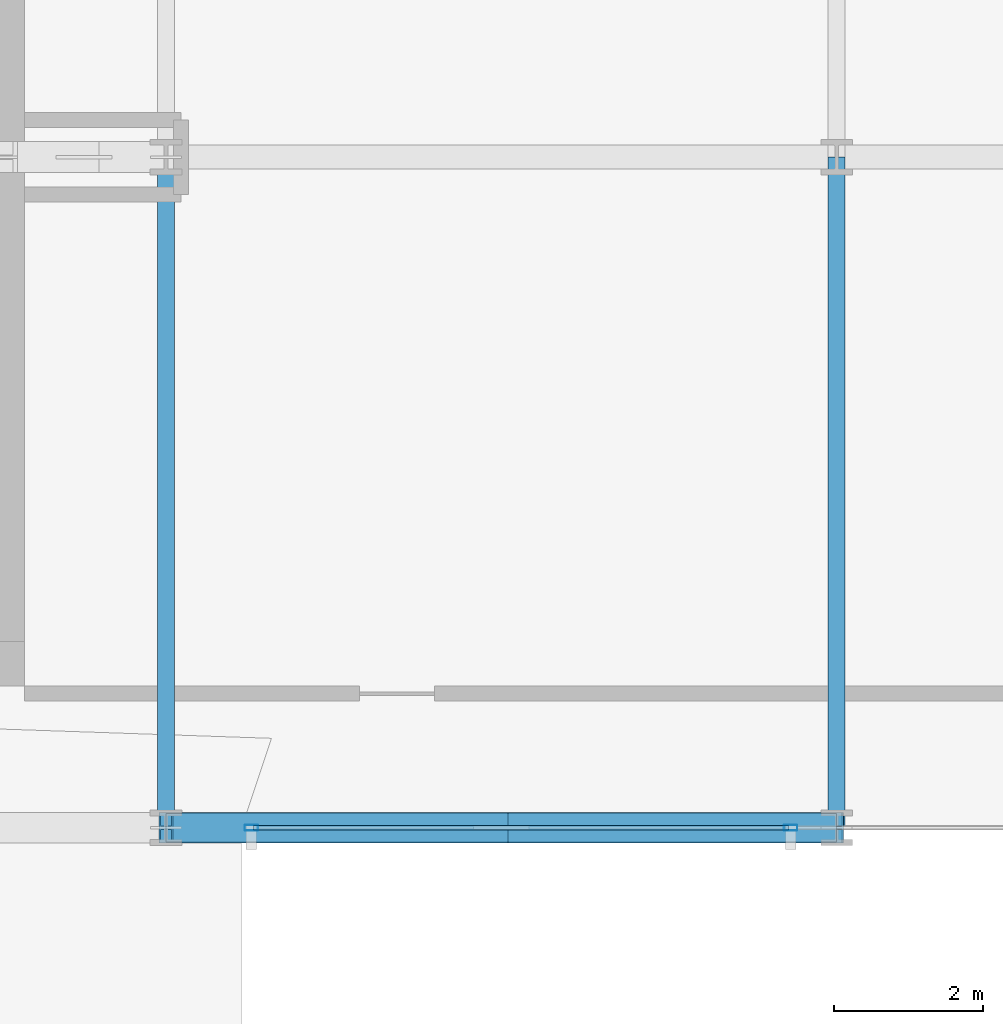
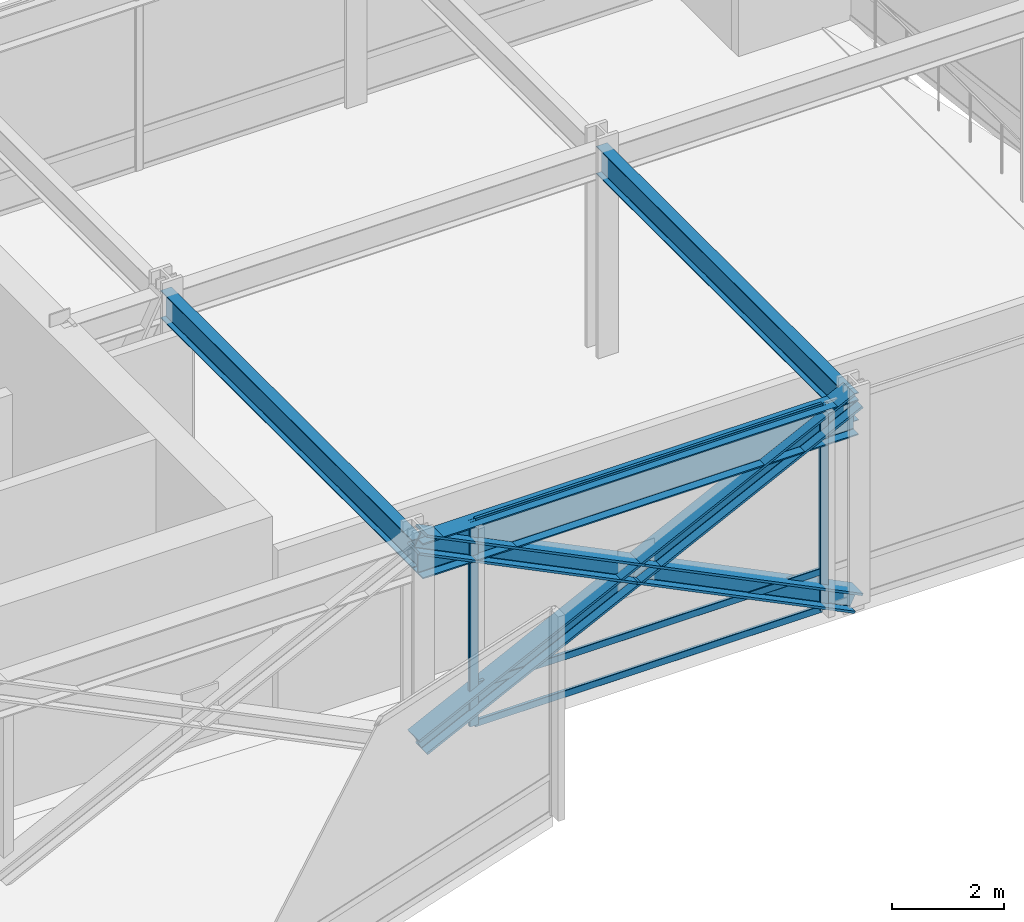
# One storey, part 13 of 42: 8 members, 3 beams, 1 element without a shape of its own.
"""IFC4 building model written with IfcOpenShell, lengths in metres."""

from ifc_helpers import new_model, si_unit, direction, frame, origin, origin_2d, place, context, subcontext, project, spatial, hollow_rectangle, i_section, extrude, material, layer, layer_set, material_profile, profile_set, type_object, element, aggregate, save


model = new_model("IFC4")

# Units and contexts
model_context = context("Model", 3, precision=1e-05, world=origin(), true_north=direction((0.0, 1.0)))
body_context = subcontext(model_context, "Body", "Model", "MODEL_VIEW")
ifc_project = project(units=[si_unit("LENGTHUNIT", "METRE"), si_unit("AREAUNIT", "SQUARE_METRE"), si_unit("VOLUMEUNIT", "CUBIC_METRE"), si_unit("PLANEANGLEUNIT", "RADIAN"), si_unit("MASSUNIT", "GRAM", prefix="KILO")], contexts=[model_context])

# Site, building, storey
site_placement = place(None, origin())
site = spatial("IfcSite", under=ifc_project, at=site_placement, CompositionType="ELEMENT")
building_placement = place(site_placement, origin())
building = spatial("IfcBuilding", under=site, at=building_placement, Name="Solvaryn Broadcast Tower", CompositionType="ELEMENT")
storey_placement = place(building_placement, frame((0.0, 0.0, 100.199951171875)))
storey = spatial("IfcBuildingStorey", under=building, at=storey_placement, Name="L24", CompositionType="ELEMENT", Elevation=100.199951171875)

# Beams
ifc_material_1 = material(Name="Steel ASTM A992 Grade 50", Category="steel")
ifc_material_profile_1 = material_profile(ifc_material_1, i_section(OverallWidth=0.22802734375, OverallDepth=0.60791015625, WebThickness=0.01123046875, FlangeThickness=0.017333984375, FilletRadius=0.014892578125, at=origin_2d()))
ifc_profile_set_1 = profile_set([ifc_material_profile_1], Name="Steel ASTM A992 Grade 50")
beam_type_1 = type_object("IfcBeamType", Name="BM-B2-W24X76", PredefinedType="BEAM", material=ifc_profile_set_1)
for number, where, z_axis, x_axis, name in (
    (1, (45.0, 9.0, 4.166015625), (0.0, 1.0, 0.0), (-1.0, 0.0, 0.0), "L24 Primary Beam Y (9-18 @ X=45)"),
    (2, (54.0, 9.0, 4.166015625), (0.0, 1.0, 0.0), (-1.0, 0.0, 0.0), "L24 Primary Beam Y (9-18 @ X=54)"),
):
    element("IfcBeam", number, at=place(storey_placement, frame(where, z_axis=z_axis, x_axis=x_axis)), inside=storey, type_object=beam_type_1, Name=name, PredefinedType="BEAM", context=body_context, shape_type="SweptSolid", body=[
        extrude(i_section(OverallWidth=0.22802734375, OverallDepth=0.60791015625, WebThickness=0.01123046875, FlangeThickness=0.017333984375, FilletRadius=0.014892578125, at=origin_2d()), origin(), (0.0, 0.0, 1.0), 9.0),
    ])
ifc_material_2 = material(Name="Steel ASTM A992 Grade 50", Category="steel")
ifc_material_profile_2 = material_profile(ifc_material_2, i_section(OverallWidth=0.381103515625, OverallDepth=0.77294921875, WebThickness=0.0166015625, FlangeThickness=0.027099609375, FilletRadius=0.01806640625, at=origin_2d()))
ifc_profile_set_2 = profile_set([ifc_material_profile_2], Name="Steel ASTM A992 Grade 50")
beam_type_2 = type_object("IfcBeamType", Name="BM-SP1-W30X173", PredefinedType="USERDEFINED", material=ifc_profile_set_2)
beam_placement = place(storey_placement, frame((45.0, 9.0, 4.08349609375), z_axis=(1.0, 0.0, 0.0), x_axis=(0.0, 1.0, 0.0)))
element("IfcBeam", 3, at=beam_placement, inside=storey, type_object=beam_type_2, Name="L24 Spandrel Beam X (45-54 @ Y=9)", ObjectType="SPANDREL", PredefinedType="USERDEFINED", context=body_context, shape_type="SweptSolid", body=[
    extrude(i_section(OverallWidth=0.381103515625, OverallDepth=0.77294921875, WebThickness=0.0166015625, FlangeThickness=0.027099609375, FilletRadius=0.01806640625, at=origin_2d()), origin(), (0.0, 0.0, 1.0), 9.0),
])

# Curtain wall, members
ifc_material_3 = material(Name="Aluminium and Terracotta Unitised Curtain Wall", Category="masonry")
ifc_layer = layer(ifc_material_3, 0.199951171875)
ifc_layer_set = layer_set([ifc_layer], Name="CW-SYS2-LOWMID")
curtain_wall_type = type_object("IfcCurtainWallType", Name="CW-SYS2-LOWMID", PredefinedType="NOTDEFINED", material=ifc_layer_set)
curtain_wall_placement = place(storey_placement, origin())
curtain_wall = element("IfcCurtainWall", 4, at=curtain_wall_placement, inside=storey, type_object=curtain_wall_type, Name="L24 Curtain Wall S2", PredefinedType="NOTDEFINED")
ifc_material_4 = material(Name="Anodised Aluminium 6063-T6", Category="aluminium")
ifc_material_profile_3 = material_profile(ifc_material_4, hollow_rectangle(XDim=0.074951171875, YDim=0.179931640625, WallThickness=0.00390625, InnerFilletRadius=0.00390625, OuterFilletRadius=0.008056640625, at=origin_2d()))
ifc_profile_set_3 = profile_set([ifc_material_profile_3], Name="Anodised Aluminium 6063-T6")
member_type_1 = type_object("IfcMemberType", Name="CW-MUL-180", PredefinedType="MULLION", material=ifc_profile_set_3)
member_1_placement = place(storey_placement, frame((46.14599609375, 9.0, 0.0), z_axis=(0.0, 0.0, 1.0), x_axis=(0.0, 1.0, 0.0)))
member_1 = element("IfcMember", 5, at=member_1_placement, type_object=member_type_1, Name="CWS2 mullion 1", PredefinedType="MULLION", context=body_context, shape_type="SweptSolid", body=[
    extrude(hollow_rectangle(XDim=0.074951171875, YDim=0.179931640625, WallThickness=0.00390625, InnerFilletRadius=0.00390625, OuterFilletRadius=0.008056640625, at=origin_2d()), origin(), (0.0, 0.0, 1.0), 4.469970703125),
])
member_2_placement = place(storey_placement, frame((53.383056640625, 9.0, 0.0), z_axis=(0.0, 0.0, 1.0), x_axis=(0.0, 1.0, 0.0)))
member_2 = element("IfcMember", 6, at=member_2_placement, type_object=member_type_1, Name="CWS2 mullion 2", PredefinedType="MULLION", context=body_context, shape_type="SweptSolid", body=[
    extrude(hollow_rectangle(XDim=0.074951171875, YDim=0.179931640625, WallThickness=0.00390625, InnerFilletRadius=0.00390625, OuterFilletRadius=0.008056640625, at=origin_2d()), origin(), (0.0, 0.0, 1.0), 4.469970703125),
])
ifc_material_5 = material(Name="Anodised Aluminium 6063-T6", Category="aluminium")
ifc_material_profile_4 = material_profile(ifc_material_5, hollow_rectangle(XDim=0.06494140625, YDim=0.14990234375, WallThickness=0.00390625, InnerFilletRadius=0.00390625, OuterFilletRadius=0.008056640625, at=origin_2d()))
ifc_profile_set_4 = profile_set([ifc_material_profile_4], Name="Anodised Aluminium 6063-T6")
member_type_2 = type_object("IfcMemberType", Name="CW-TRN-150", PredefinedType="USERDEFINED", material=ifc_profile_set_4)
member_3_placement = place(storey_placement, frame((46.176025390625, 9.0, 0.030029296875), z_axis=(1.0, 0.0, 0.0), x_axis=(0.0, 1.0, 0.0)))
member_3 = element("IfcMember", 7, at=member_3_placement, type_object=member_type_2, Name="CWS2 transom 1.1", ObjectType="TRANSOM", PredefinedType="USERDEFINED", context=body_context, shape_type="SweptSolid", body=[
    extrude(hollow_rectangle(XDim=0.06494140625, YDim=0.14990234375, WallThickness=0.00390625, InnerFilletRadius=0.00390625, OuterFilletRadius=0.008056640625, at=origin_2d()), origin(), (0.0, 0.0, 1.0), 7.177001953125),
])
member_4_placement = place(storey_placement, frame((46.176025390625, 9.0, 0.85009765625), z_axis=(1.0, 0.0, 0.0), x_axis=(0.0, 1.0, 0.0)))
member_4 = element("IfcMember", 8, at=member_4_placement, type_object=member_type_2, Name="CWS2 transom 1.2", ObjectType="TRANSOM", PredefinedType="USERDEFINED", context=body_context, shape_type="SweptSolid", body=[
    extrude(hollow_rectangle(XDim=0.06494140625, YDim=0.14990234375, WallThickness=0.00390625, InnerFilletRadius=0.00390625, OuterFilletRadius=0.008056640625, at=origin_2d()), origin(), (0.0, 0.0, 1.0), 7.177001953125),
])
member_5_placement = place(storey_placement, frame((46.176025390625, 9.0, 4.43994140625), z_axis=(1.0, 0.0, 0.0), x_axis=(0.0, 1.0, 0.0)))
member_5 = element("IfcMember", 9, at=member_5_placement, type_object=member_type_2, Name="CWS2 transom 1.3", ObjectType="TRANSOM", PredefinedType="USERDEFINED", context=body_context, shape_type="SweptSolid", body=[
    extrude(hollow_rectangle(XDim=0.06494140625, YDim=0.14990234375, WallThickness=0.00390625, InnerFilletRadius=0.00390625, OuterFilletRadius=0.008056640625, at=origin_2d()), origin(), (0.0, 0.0, 1.0), 7.177001953125),
])
aggregate(curtain_wall, [member_1, member_2, member_3, member_4, member_5])

# Members
ifc_material_6 = material(Name="Steel ASTM A913 Grade 65", Category="steel")
ifc_material_profile_5 = material_profile(ifc_material_6, i_section(OverallWidth=0.406005859375, OverallDepth=0.416015625, WebThickness=0.02978515625, FlangeThickness=0.048095703125, FilletRadius=0.014892578125, at=origin_2d()))
ifc_profile_set_5 = profile_set([ifc_material_profile_5], Name="Steel ASTM A913 Grade 65")
member_type_3 = type_object("IfcMemberType", Name="MB-BELT-1", PredefinedType="BRACE", material=ifc_profile_set_5)
member_6_placement = place(storey_placement, frame((45.0, 9.0, 0.02001953125), z_axis=(0.897203761247, 0.0, 0.441616814449), x_axis=(0.0, 1.0, 0.0)))
element("IfcMember", 10, at=member_6_placement, inside=storey, type_object=member_type_3, Name="L24 South Belt X-Brace 6 Continuous Diagonal", PredefinedType="BRACE", context=body_context, shape_type="SweptSolid", body=[
    extrude(i_section(OverallWidth=0.406005859375, OverallDepth=0.416015625, WebThickness=0.02978515625, FlangeThickness=0.048095703125, FilletRadius=0.014892578125, at=origin_2d()), origin(), (0.0, 0.0, 1.0), 10.03125),
])
for number, where, z_axis, x_axis, name in (
    (11, (54.0, 9.0, 0.02001953125), (-0.897194117845, 0.0, 0.441636405773), (0.0, -1.0, 0.0), "L24 South Belt X-Brace 6 Split Diagonal Lower"),
    (12, (49.5, 9.0, 2.235107421875), (-0.897213404429, 0.0, 0.441597222492), (0.0, -1.0, 0.0), "L24 South Belt X-Brace 6 Split Diagonal Upper"),
):
    element("IfcMember", number, at=place(storey_placement, frame(where, z_axis=z_axis, x_axis=x_axis)), inside=storey, type_object=member_type_3, Name=name, PredefinedType="BRACE", context=body_context, shape_type="SweptSolid", body=[
        extrude(i_section(OverallWidth=0.406005859375, OverallDepth=0.416015625, WebThickness=0.02978515625, FlangeThickness=0.048095703125, FilletRadius=0.014892578125, at=origin_2d()), origin(), (0.0, 0.0, 1.0), 5.015625),
    ])

save(model, "model.ifc")
